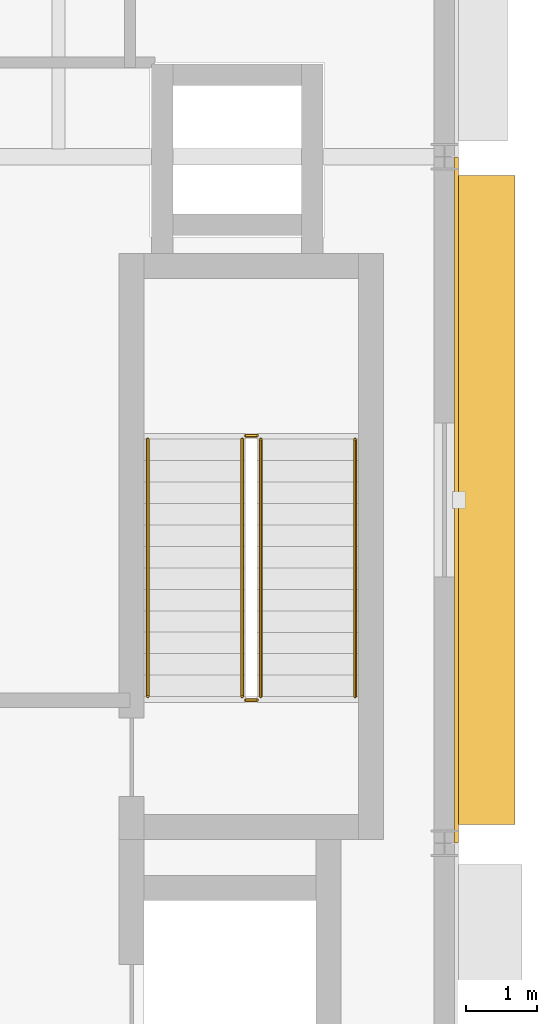
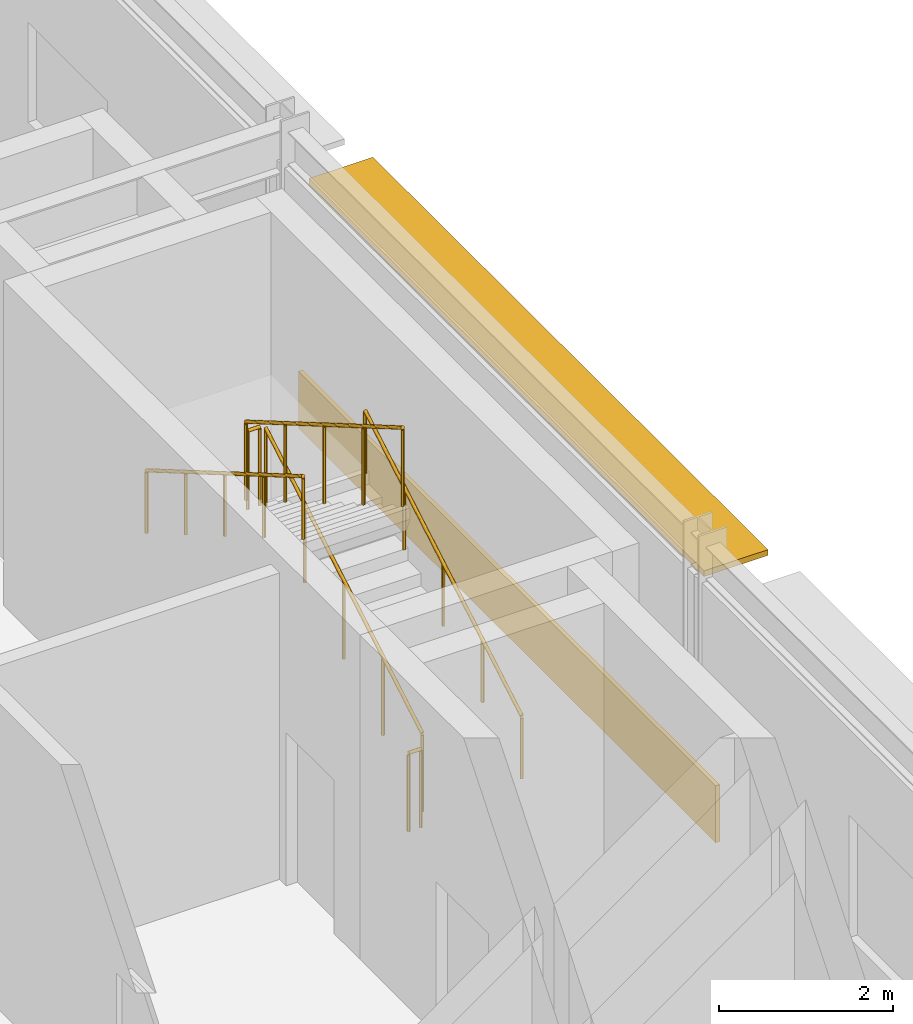
# One storey, part 86 of 89: 6 railings, 1 covering, 1 shading device.
"""IFC4 building model written with IfcOpenShell, lengths in metres."""

from ifc_helpers import new_model, si_unit, direction, frame, origin, origin_2d, place, context, subcontext, project, spatial, rectangle, circle, extrude, material, layer, layer_set, type_object, element, save


model = new_model("IFC4")

# Units and contexts
model_context = context("Model", 3, precision=1e-05, world=origin(), true_north=direction((0.0, 1.0)))
body_context = subcontext(model_context, "Body", "Model", "MODEL_VIEW")
ifc_project = project(units=[si_unit("LENGTHUNIT", "METRE"), si_unit("AREAUNIT", "SQUARE_METRE"), si_unit("VOLUMEUNIT", "CUBIC_METRE"), si_unit("PLANEANGLEUNIT", "RADIAN"), si_unit("MASSUNIT", "GRAM", prefix="KILO")], contexts=[model_context])

# Site, building, storey
site_placement = place(None, origin())
site = spatial("IfcSite", under=ifc_project, at=site_placement, CompositionType="ELEMENT")
building_placement = place(site_placement, origin())
building = spatial("IfcBuilding", under=site, at=building_placement, Name="Almandine Court Research Institute", CompositionType="ELEMENT")
storey_placement = place(building_placement, frame((0.0, 0.0, 18.89990234375)))
storey = spatial("IfcBuildingStorey", under=building, at=storey_placement, Name="L04", CompositionType="ELEMENT", Elevation=18.89990234375)

# Covering
ifc_material_1 = material(Name="Extruded Cream-Ochre Seismic Terracotta Spandrel", Category="masonry")
ifc_layer_1 = layer(ifc_material_1, 0.054931640625)
ifc_layer_set_1 = layer_set([ifc_layer_1], Name="Extruded Cream-Ochre Seismic Terracotta Spandrel")
covering_type = type_object("IfcCoveringType", Name="Cov-CLAD-TERR", PredefinedType="CLADDING", material=ifc_layer_set_1)
covering_placement = place(storey_placement, frame((174.1708984375, 30.0, 0.02001953125), z_axis=(0.0, 0.0, 1.0), x_axis=(0.0, -1.0, 0.0)))
element("IfcCovering", 1, at=covering_placement, inside=storey, type_object=covering_type, Name="L04 Facade Spandrel Cladding Band 181", PredefinedType="CLADDING", context=body_context, shape_type="SweptSolid", body=[
    extrude(rectangle(XDim=9.592041015625, YDim=0.054931640625, at=origin_2d()), origin(), (0.0, 0.0, 1.0), 0.800048828125),
])

# Railings
ifc_material_2 = material(Name="Powder-Coated Steel Stair and Atrium Balustrade", Category="steel")
railing_type_1 = type_object("IfcRailingType", Name="Rail-GUARD-INT", PredefinedType="BALUSTRADE", material=ifc_material_2)
railing_1_placement = place(storey_placement, frame((171.429931640625, 27.25, 0.175048828125)))
element("IfcRailing", 2, at=railing_1_placement, inside=storey, type_object=railing_type_1, Name="L04 ST-07 stair guard 1", PredefinedType="BALUSTRADE", context=body_context, shape_type="SweptSolid", body=[
    extrude(circle(Radius=0.02392578125, at=origin_2d()), frame((0.0, 0.0, 1.09619140625), z_axis=(0.0, 0.863774651768, 0.503878309678), x_axis=(-1.0, 0.0, 0.0)), (0.0, 0.0, 1.0), 4.16796875),
    extrude(circle(Radius=0.02099609375, at=origin_2d()), origin(), (0.0, 0.0, 1.0), 1.072021484375),
    extrude(circle(Radius=0.02099609375, at=origin_2d()), frame((0.0, 0.89990234375, 0.52490234375)), (0.0, 0.0, 1.0), 1.072021484375),
    extrude(circle(Radius=0.02099609375, at=origin_2d()), frame((0.0, 1.800048828125, 1.050048828125)), (0.0, 0.0, 1.0), 1.072021484375),
    extrude(circle(Radius=0.02099609375, at=origin_2d()), frame((0.0, 2.7001953125, 1.5751953125)), (0.0, 0.0, 1.0), 1.072021484375),
    extrude(circle(Radius=0.02099609375, at=origin_2d()), frame((0.0, 3.60009765625, 2.10009765625)), (0.0, 0.0, 1.0), 1.072021484375),
])
railing_2_placement = place(storey_placement, frame((171.3798828125, 30.89990234375, 2.275146484375)))
element("IfcRailing", 3, at=railing_2_placement, inside=storey, type_object=railing_type_1, Name="L04 ST-07 stair guard 2", PredefinedType="BALUSTRADE", context=body_context, shape_type="SweptSolid", body=[
    extrude(circle(Radius=0.02392578125, at=origin_2d()), frame((0.0, 0.0, 1.09619140625), z_axis=(-1.0, 0.0, 0.0), x_axis=(0.0, -1.0, 0.0)), (0.0, 0.0, 1.0), 0.159912109375),
    extrude(circle(Radius=0.02099609375, at=origin_2d()), origin(), (0.0, 0.0, 1.0), 1.072021484375),
    extrude(circle(Radius=0.02099609375, at=origin_2d()), frame((-0.159912109375, 0.0, 0.0)), (0.0, 0.0, 1.0), 1.072021484375),
])
railing_3_placement = place(storey_placement, frame((171.169921875, 30.85009765625, 2.4501953125)))
element("IfcRailing", 4, at=railing_3_placement, inside=storey, type_object=railing_type_1, Name="L04 ST-07 stair guard 3", PredefinedType="BALUSTRADE", context=body_context, shape_type="SweptSolid", body=[
    extrude(circle(Radius=0.02392578125, at=origin_2d()), frame((0.0, 0.0, 1.09619140625), z_axis=(0.0, -0.863800146258, 0.503834603144), x_axis=(1.0, 0.0, 0.0)), (0.0, 0.0, 1.0), 4.167724609375),
    extrude(circle(Radius=0.02099609375, at=origin_2d()), origin(), (0.0, 0.0, 1.0), 1.072021484375),
    extrude(circle(Radius=0.02099609375, at=origin_2d()), frame((0.0, -0.89990234375, 0.52490234375)), (0.0, 0.0, 1.0), 1.072021484375),
    extrude(circle(Radius=0.02099609375, at=origin_2d()), frame((0.0, -1.800048828125, 1.0498046875)), (0.0, 0.0, 1.0), 1.072021484375),
    extrude(circle(Radius=0.02099609375, at=origin_2d()), frame((0.0, -2.7001953125, 1.574951171875)), (0.0, 0.0, 1.0), 1.072021484375),
    extrude(circle(Radius=0.02099609375, at=origin_2d()), frame((0.0, -3.60009765625, 2.099853515625)), (0.0, 0.0, 1.0), 1.072021484375),
])
railing_4_placement = place(storey_placement, frame((171.3798828125, 27.199951171875, 0.0)))
element("IfcRailing", 5, at=railing_4_placement, inside=storey, type_object=railing_type_1, Name="L04 ST-07 stair guard 4", PredefinedType="BALUSTRADE", context=body_context, shape_type="SweptSolid", body=[
    extrude(circle(Radius=0.02392578125, at=origin_2d()), frame((0.0, 0.0, 1.09619140625), z_axis=(-1.0, 0.0, 0.0), x_axis=(0.0, -1.0, 0.0)), (0.0, 0.0, 1.0), 0.159912109375),
    extrude(circle(Radius=0.02099609375, at=origin_2d()), origin(), (0.0, 0.0, 1.0), 1.072021484375),
    extrude(circle(Radius=0.02099609375, at=origin_2d()), frame((-0.159912109375, 0.0, 0.0)), (0.0, 0.0, 1.0), 1.072021484375),
])
ifc_material_3 = material(Name="Brushed Stainless Steel Wall Handrail", Category="steel")
railing_type_2 = type_object("IfcRailingType", Name="Rail-HAND-INT", PredefinedType="HANDRAIL", material=ifc_material_3)
railing_5_placement = place(storey_placement, frame((172.75, 27.25, 0.175048828125)))
element("IfcRailing", 6, at=railing_5_placement, inside=storey, type_object=railing_type_2, Name="L04 ST-07 stair handrail 1", PredefinedType="HANDRAIL", context=body_context, shape_type="SweptSolid", body=[
    extrude(circle(Radius=0.02392578125, at=origin_2d()), frame((0.0, 0.0, 0.8759765625), z_axis=(0.0, 0.863774651768, 0.503878309678), x_axis=(-1.0, 0.0, 0.0)), (0.0, 0.0, 1.0), 4.16796875),
    extrude(circle(Radius=0.02099609375, at=origin_2d()), origin(), (0.0, 0.0, 1.0), 0.851806640625),
    extrude(circle(Radius=0.02099609375, at=origin_2d()), frame((0.0, 0.89990234375, 0.52490234375)), (0.0, 0.0, 1.0), 0.851806640625),
    extrude(circle(Radius=0.02099609375, at=origin_2d()), frame((0.0, 1.800048828125, 1.050048828125)), (0.0, 0.0, 1.0), 0.851806640625),
    extrude(circle(Radius=0.02099609375, at=origin_2d()), frame((0.0, 2.7001953125, 1.5751953125)), (0.0, 0.0, 1.0), 0.851806640625),
    extrude(circle(Radius=0.02099609375, at=origin_2d()), frame((0.0, 3.60009765625, 2.10009765625)), (0.0, 0.0, 1.0), 0.851806640625),
])
railing_6_placement = place(storey_placement, frame((169.85009765625, 30.85009765625, 2.4501953125)))
element("IfcRailing", 7, at=railing_6_placement, inside=storey, type_object=railing_type_2, Name="L04 ST-07 stair handrail 2", PredefinedType="HANDRAIL", context=body_context, shape_type="SweptSolid", body=[
    extrude(circle(Radius=0.02392578125, at=origin_2d()), frame((0.0, 0.0, 0.8759765625), z_axis=(0.0, -0.863800146258, 0.503834603144), x_axis=(1.0, 0.0, 0.0)), (0.0, 0.0, 1.0), 4.167724609375),
    extrude(circle(Radius=0.02099609375, at=origin_2d()), origin(), (0.0, 0.0, 1.0), 0.851806640625),
    extrude(circle(Radius=0.02099609375, at=origin_2d()), frame((0.0, -0.89990234375, 0.52490234375)), (0.0, 0.0, 1.0), 0.851806640625),
    extrude(circle(Radius=0.02099609375, at=origin_2d()), frame((0.0, -1.800048828125, 1.0498046875)), (0.0, 0.0, 1.0), 0.851806640625),
    extrude(circle(Radius=0.02099609375, at=origin_2d()), frame((0.0, -2.7001953125, 1.574951171875)), (0.0, 0.0, 1.0), 0.851806640625),
    extrude(circle(Radius=0.02099609375, at=origin_2d()), frame((0.0, -3.60009765625, 2.099853515625)), (0.0, 0.0, 1.0), 0.851806640625),
])

# Shading device
ifc_material_4 = material(Name="Precast GFRC Chhajja Sunshade and Acoustic Louvre", Category="concrete")
ifc_layer_2 = layer(ifc_material_4, 0.080078125)
ifc_layer_set_2 = layer_set([ifc_layer_2], Name="Precast GFRC Chhajja Sunshade and Acoustic Louvre")
shading_device_type = type_object("IfcShadingDeviceType", Name="Shd-SD-31", PredefinedType="AWNING", material=ifc_layer_set_2)
shading_device_placement = place(storey_placement, frame((174.56005859375, 30.0, 3.60400390625), z_axis=(0.0, 0.0, 1.0), x_axis=(0.0, -1.0, 0.0)))
element("IfcShadingDevice", 8, at=shading_device_placement, inside=storey, type_object=shading_device_type, Name="L04 Projecting Chhajja Sunshade 126", PredefinedType="AWNING", context=body_context, shape_type="SweptSolid", body=[
    extrude(rectangle(XDim=9.08203125, YDim=0.85009765625, at=origin_2d()), origin(), (0.0, 0.0, 1.0), 0.080078125),
])

save(model, "model.ifc")
